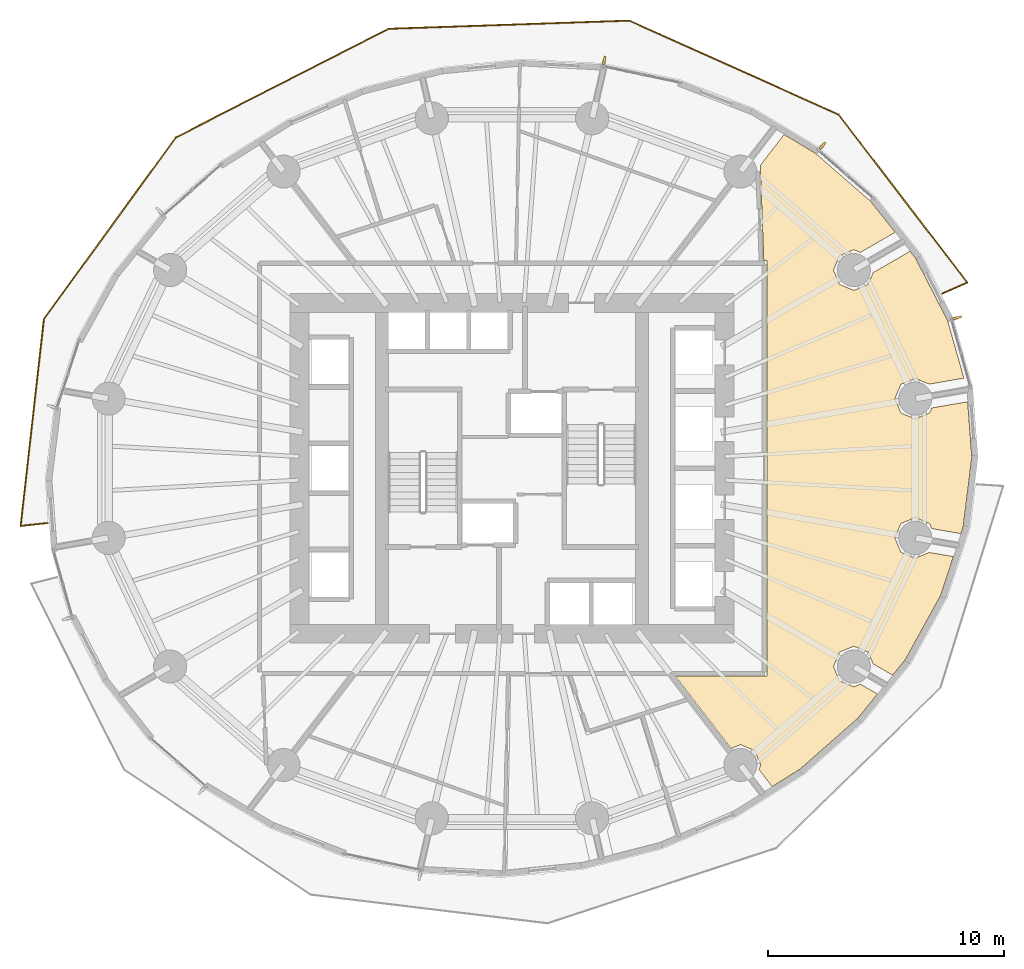
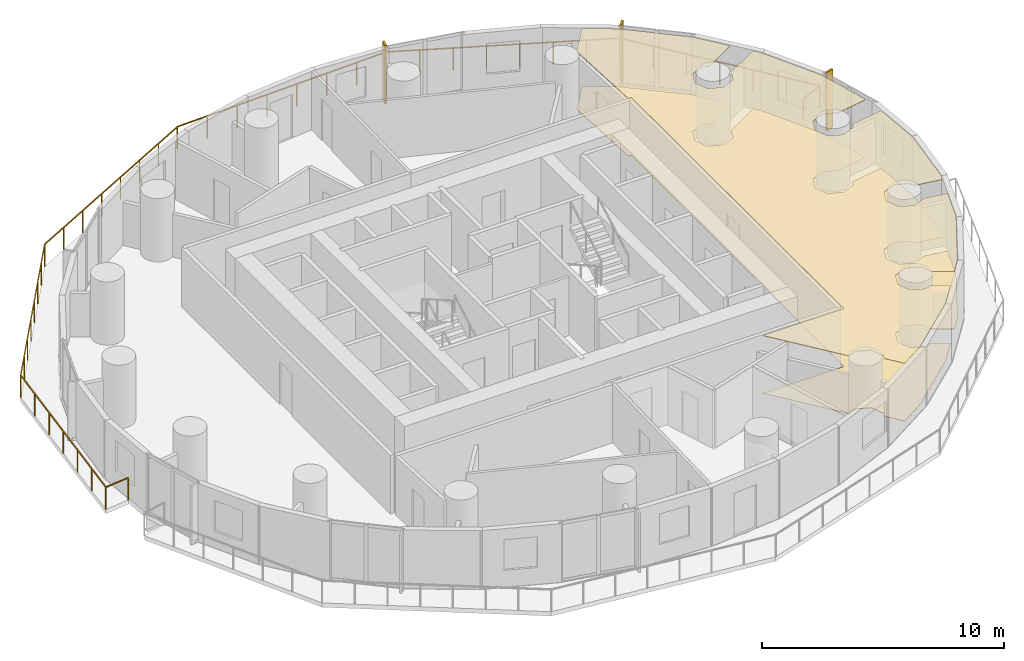
# One storey, part 13 of 13: 3 shading devices, 2 coverings, 1 railing.
"""IFC4 building model written with IfcOpenShell, lengths in metres."""

from ifc_helpers import new_model, si_unit, direction, frame, origin, origin_2d, place, context, subcontext, project, spatial, polyline, rectangle, outline, extrude, material, layer, layer_set, type_object, element, save


model = new_model("IFC4")

# Units and contexts
model_context = context("Model", 3, precision=1e-05, world=origin(), true_north=direction((0.0, 1.0)))
body_context = subcontext(model_context, "Body", "Model", "MODEL_VIEW")
ifc_project = project(units=[si_unit("LENGTHUNIT", "METRE"), si_unit("AREAUNIT", "SQUARE_METRE"), si_unit("VOLUMEUNIT", "CUBIC_METRE"), si_unit("PLANEANGLEUNIT", "RADIAN"), si_unit("MASSUNIT", "GRAM", prefix="KILO")], contexts=[model_context])

# Site, building, storey
site_placement = place(None, origin())
site = spatial("IfcSite", under=ifc_project, at=site_placement, CompositionType="ELEMENT")
building_placement = place(site_placement, origin())
building = spatial("IfcBuilding", under=site, at=building_placement, Name="Veldorim Arch Residences", CompositionType="ELEMENT")
storey_placement = place(building_placement, frame((0.0, 0.0, 47.199951171875)))
storey = spatial("IfcBuildingStorey", under=building, at=storey_placement, Name="L13", CompositionType="ELEMENT", Elevation=47.199951171875)

# Railing
ifc_material_1 = material(Name="Aluminium", Category="aluminium")
railing_type = type_object("IfcRailingType", Name="Balcony & Terrace Laminated Glass Balustrade 1150", PredefinedType="BALUSTRADE", material=ifc_material_1)
railing_placement = place(storey_placement, frame((50.2177734375, 31.396484375, 0.0)))
element("IfcRailing", 1, at=railing_placement, inside=storey, type_object=railing_type, Name="L13 crescent balcony safety balustrade A", PredefinedType="BALUSTRADE", context=body_context, shape_type="SweptSolid", body=[
    extrude(rectangle(XDim=0.048095703125, YDim=0.048095703125, at=origin_2d()), frame((0.0, 0.0, 1.1259765625), z_axis=(0.914650093829, 0.404246466725, 0.0), x_axis=(-0.404246466725, 0.914650093829, 0.0)), (0.0, 0.0, 1.0), 1.14990234375),
    extrude(rectangle(XDim=0.048095703125, YDim=0.048095703125, at=origin_2d()), frame((1.0517578125, 0.46484375, 1.1259765625), z_axis=(-0.608174072746, 0.793803689358, 0.0), x_axis=(-0.793803689358, -0.608174072746, 0.0)), (0.0, 0.0, 1.0), 8.959228515625),
    extrude(rectangle(XDim=0.048095703125, YDim=0.048095703125, at=origin_2d()), frame((-4.39697265625, 7.57666015625, 1.1259765625), z_axis=(-0.912391461702, 0.409318727416, 0.0), x_axis=(-0.409318727416, -0.912391461702, 0.0)), (0.0, 0.0, 1.0), 9.7080078125),
    extrude(rectangle(XDim=0.048095703125, YDim=0.048095703125, at=origin_2d()), frame((-13.25439453125, 11.55029296875, 1.1259765625), z_axis=(-0.999421900422, -0.033998014005, 0.0), x_axis=(0.033998014005, -0.999421900422, 0.0)), (0.0, 0.0, 1.0), 10.197021484375),
    extrude(rectangle(XDim=0.048095703125, YDim=0.048095703125, at=origin_2d()), frame((-23.445556640625, 11.20361328125, 1.1259765625), z_axis=(-0.890528218544, -0.454928007466, 0.0), x_axis=(0.454928007466, -0.890528218544, 0.0)), (0.0, 0.0, 1.0), 10.105224609375),
    extrude(rectangle(XDim=0.048095703125, YDim=0.048095703125, at=origin_2d()), frame((-32.444580078125, 6.6064453125, 1.1259765625), z_axis=(-0.587653663904, -0.809112582587, 0.0), x_axis=(0.809112582587, -0.587653663904, 0.0)), (0.0, 0.0, 1.0), 9.501708984375),
    extrude(rectangle(XDim=0.048095703125, YDim=0.048095703125, at=origin_2d()), frame((-38.0283203125, -1.08154296875, 1.1259765625), z_axis=(-0.111808793335, -0.993729738779, 0.0), x_axis=(0.993729738779, -0.111808793335, 0.0)), (0.0, 0.0, 1.0), 8.812744140625),
    extrude(rectangle(XDim=0.048095703125, YDim=0.048095703125, at=origin_2d()), frame((-39.013671875, -9.839111328125, 1.1259765625), z_axis=(0.994119643816, 0.108287274316, 0.0), x_axis=(-0.108287274316, 0.994119643816, 0.0)), (0.0, 0.0, 1.0), 1.14990234375),
    extrude(rectangle(XDim=0.0419921875, YDim=0.0419921875, at=origin_2d()), origin(), (0.0, 0.0, 1.0), 1.101806640625),
    extrude(rectangle(XDim=0.0419921875, YDim=0.0419921875, at=origin_2d()), frame((1.0517578125, 0.46484375, 0.0)), (0.0, 0.0, 1.0), 1.101806640625),
    extrude(rectangle(XDim=0.0419921875, YDim=0.0419921875, at=origin_2d()), frame((0.1435546875, 1.650146484375, 0.0)), (0.0, 0.0, 1.0), 1.101806640625),
    extrude(rectangle(XDim=0.0419921875, YDim=0.0419921875, at=origin_2d()), frame((-0.764404296875, 2.83544921875, 0.0)), (0.0, 0.0, 1.0), 1.101806640625),
    extrude(rectangle(XDim=0.0419921875, YDim=0.0419921875, at=origin_2d()), frame((-1.672607421875, 4.020751953125, 0.0)), (0.0, 0.0, 1.0), 1.101806640625),
    extrude(rectangle(XDim=0.0419921875, YDim=0.0419921875, at=origin_2d()), frame((-2.580810546875, 5.2060546875, 0.0)), (0.0, 0.0, 1.0), 1.101806640625),
    extrude(rectangle(XDim=0.0419921875, YDim=0.0419921875, at=origin_2d()), frame((-3.48876953125, 6.391357421875, 0.0)), (0.0, 0.0, 1.0), 1.101806640625),
    extrude(rectangle(XDim=0.0419921875, YDim=0.0419921875, at=origin_2d()), frame((-4.39697265625, 7.57666015625, 0.0)), (0.0, 0.0, 1.0), 1.101806640625),
    extrude(rectangle(XDim=0.0419921875, YDim=0.0419921875, at=origin_2d()), frame((-5.662353515625, 8.144287109375, 0.0)), (0.0, 0.0, 1.0), 1.101806640625),
    extrude(rectangle(XDim=0.0419921875, YDim=0.0419921875, at=origin_2d()), frame((-6.927734375, 8.7119140625, 0.0)), (0.0, 0.0, 1.0), 1.101806640625),
    extrude(rectangle(XDim=0.0419921875, YDim=0.0419921875, at=origin_2d()), frame((-8.193115234375, 9.279541015625, 0.0)), (0.0, 0.0, 1.0), 1.101806640625),
    extrude(rectangle(XDim=0.0419921875, YDim=0.0419921875, at=origin_2d()), frame((-9.458251953125, 9.847412109375, 0.0)), (0.0, 0.0, 1.0), 1.101806640625),
    extrude(rectangle(XDim=0.0419921875, YDim=0.0419921875, at=origin_2d()), frame((-10.7236328125, 10.4150390625, 0.0)), (0.0, 0.0, 1.0), 1.101806640625),
    extrude(rectangle(XDim=0.0419921875, YDim=0.0419921875, at=origin_2d()), frame((-11.989013671875, 10.982666015625, 0.0)), (0.0, 0.0, 1.0), 1.101806640625),
    extrude(rectangle(XDim=0.0419921875, YDim=0.0419921875, at=origin_2d()), frame((-13.25439453125, 11.55029296875, 0.0)), (0.0, 0.0, 1.0), 1.101806640625),
    extrude(rectangle(XDim=0.0419921875, YDim=0.0419921875, at=origin_2d()), frame((-14.710205078125, 11.500732421875, 0.0)), (0.0, 0.0, 1.0), 1.101806640625),
    extrude(rectangle(XDim=0.0419921875, YDim=0.0419921875, at=origin_2d()), frame((-16.166259765625, 11.451171875, 0.0)), (0.0, 0.0, 1.0), 1.101806640625),
    extrude(rectangle(XDim=0.0419921875, YDim=0.0419921875, at=origin_2d()), frame((-17.6220703125, 11.401611328125, 0.0)), (0.0, 0.0, 1.0), 1.101806640625),
    extrude(rectangle(XDim=0.0419921875, YDim=0.0419921875, at=origin_2d()), frame((-19.077880859375, 11.352294921875, 0.0)), (0.0, 0.0, 1.0), 1.101806640625),
    extrude(rectangle(XDim=0.0419921875, YDim=0.0419921875, at=origin_2d()), frame((-20.53369140625, 11.302734375, 0.0)), (0.0, 0.0, 1.0), 1.101806640625),
    extrude(rectangle(XDim=0.0419921875, YDim=0.0419921875, at=origin_2d()), frame((-21.98974609375, 11.253173828125, 0.0)), (0.0, 0.0, 1.0), 1.101806640625),
    extrude(rectangle(XDim=0.0419921875, YDim=0.0419921875, at=origin_2d()), frame((-23.445556640625, 11.20361328125, 0.0)), (0.0, 0.0, 1.0), 1.101806640625),
    extrude(rectangle(XDim=0.0419921875, YDim=0.0419921875, at=origin_2d()), frame((-24.731201171875, 10.546875, 0.0)), (0.0, 0.0, 1.0), 1.101806640625),
    extrude(rectangle(XDim=0.0419921875, YDim=0.0419921875, at=origin_2d()), frame((-26.0166015625, 9.89013671875, 0.0)), (0.0, 0.0, 1.0), 1.101806640625),
    extrude(rectangle(XDim=0.0419921875, YDim=0.0419921875, at=origin_2d()), frame((-27.30224609375, 9.2333984375, 0.0)), (0.0, 0.0, 1.0), 1.101806640625),
    extrude(rectangle(XDim=0.0419921875, YDim=0.0419921875, at=origin_2d()), frame((-28.587890625, 8.57666015625, 0.0)), (0.0, 0.0, 1.0), 1.101806640625),
    extrude(rectangle(XDim=0.0419921875, YDim=0.0419921875, at=origin_2d()), frame((-29.87353515625, 7.919921875, 0.0)), (0.0, 0.0, 1.0), 1.101806640625),
    extrude(rectangle(XDim=0.0419921875, YDim=0.0419921875, at=origin_2d()), frame((-31.158935546875, 7.26318359375, 0.0)), (0.0, 0.0, 1.0), 1.101806640625),
    extrude(rectangle(XDim=0.0419921875, YDim=0.0419921875, at=origin_2d()), frame((-32.444580078125, 6.6064453125, 0.0)), (0.0, 0.0, 1.0), 1.101806640625),
    extrude(rectangle(XDim=0.0419921875, YDim=0.0419921875, at=origin_2d()), frame((-33.2421875, 5.508056640625, 0.0)), (0.0, 0.0, 1.0), 1.101806640625),
    extrude(rectangle(XDim=0.0419921875, YDim=0.0419921875, at=origin_2d()), frame((-34.0400390625, 4.409912109375, 0.0)), (0.0, 0.0, 1.0), 1.101806640625),
    extrude(rectangle(XDim=0.0419921875, YDim=0.0419921875, at=origin_2d()), frame((-34.837646484375, 3.3115234375, 0.0)), (0.0, 0.0, 1.0), 1.101806640625),
    extrude(rectangle(XDim=0.0419921875, YDim=0.0419921875, at=origin_2d()), frame((-35.63525390625, 2.21337890625, 0.0)), (0.0, 0.0, 1.0), 1.101806640625),
    extrude(rectangle(XDim=0.0419921875, YDim=0.0419921875, at=origin_2d()), frame((-36.432861328125, 1.114990234375, 0.0)), (0.0, 0.0, 1.0), 1.101806640625),
    extrude(rectangle(XDim=0.0419921875, YDim=0.0419921875, at=origin_2d()), frame((-37.230712890625, 0.016845703125, 0.0)), (0.0, 0.0, 1.0), 1.101806640625),
    extrude(rectangle(XDim=0.0419921875, YDim=0.0419921875, at=origin_2d()), frame((-38.0283203125, -1.08154296875, 0.0)), (0.0, 0.0, 1.0), 1.101806640625),
    extrude(rectangle(XDim=0.0419921875, YDim=0.0419921875, at=origin_2d()), frame((-38.192626953125, -2.541015625, 0.0)), (0.0, 0.0, 1.0), 1.101806640625),
    extrude(rectangle(XDim=0.0419921875, YDim=0.0419921875, at=origin_2d()), frame((-38.356689453125, -4.000732421875, 0.0)), (0.0, 0.0, 1.0), 1.101806640625),
    extrude(rectangle(XDim=0.0419921875, YDim=0.0419921875, at=origin_2d()), frame((-38.52099609375, -5.46044921875, 0.0)), (0.0, 0.0, 1.0), 1.101806640625),
    extrude(rectangle(XDim=0.0419921875, YDim=0.0419921875, at=origin_2d()), frame((-38.685302734375, -6.919921875, 0.0)), (0.0, 0.0, 1.0), 1.101806640625),
    extrude(rectangle(XDim=0.0419921875, YDim=0.0419921875, at=origin_2d()), frame((-38.849365234375, -8.37939453125, 0.0)), (0.0, 0.0, 1.0), 1.101806640625),
    extrude(rectangle(XDim=0.0419921875, YDim=0.0419921875, at=origin_2d()), frame((-39.013671875, -9.839111328125, 0.0)), (0.0, 0.0, 1.0), 1.101806640625),
    extrude(rectangle(XDim=0.0419921875, YDim=0.0419921875, at=origin_2d()), frame((-37.87060546875, -9.714599609375, 0.0)), (0.0, 0.0, 1.0), 1.101806640625),
])

# Coverings
ifc_material_2 = material(Name="Acoustic Gypsum & Mineral Fibre", Category="gypsum")
ifc_layer_1 = layer(ifc_material_2, 0.034912109375, Name="Perforated Acoustic Mineral-Fibre Ceiling 35")
ifc_layer_set_1 = layer_set([ifc_layer_1], Name="Acoustic Gypsum & Mineral Fibre")
covering_type_1 = type_object("IfcCoveringType", Name="Perforated Acoustic Mineral-Fibre Ceiling 35", PredefinedType="CEILING", material=ifc_layer_set_1)
covering_1_placement = place(storey_placement, frame((0.0, 0.0, 2.905029296875)))
element("IfcCovering", 2, at=covering_1_placement, inside=storey, type_object=covering_type_1, Name="L13 acoustic suspended ceiling 02", PredefinedType="CEILING", context=body_context, shape_type="SweptSolid", body=[
    extrude(outline(polyline([(43.513427734375, 38.125732421875), (44.84521484375, 37.328857421875), (47.1884765625, 35.2880859375), (48.21630859375, 33.98681640625), (46.745361328125, 33.1337890625), (46.467529296875, 33.2490234375), (45.859619140625, 32.9970703125), (45.607666015625, 32.38916015625), (45.859619140625, 31.781005859375), (46.467529296875, 31.529296875), (47.07568359375, 31.781005859375), (47.281005859375, 32.277099609375), (48.848876953125, 33.186279296875), (49.0693359375, 32.906982421875), (50.432373046875, 30.257568359375), (51.12548828125, 27.81396484375), (49.65771484375, 27.560546875), (49.065673828125, 27.805908203125), (48.457763671875, 27.553955078125), (48.205810546875, 26.94580078125), (48.457763671875, 26.337890625), (49.065673828125, 26.0859375), (49.673583984375, 26.337890625), (49.76318359375, 26.5537109375), (51.28271484375, 26.816162109375), (51.459716796875, 24.478515625), (51.093505859375, 21.521484375), (50.998779296875, 21.23291015625), (49.76318359375, 21.4462890625), (49.673583984375, 21.662109375), (49.065673828125, 21.9140625), (48.457763671875, 21.662109375), (48.205810546875, 21.05419921875), (48.457763671875, 20.446044921875), (49.065673828125, 20.194091796875), (49.65771484375, 20.439453125), (50.680908203125, 20.2626953125), (50.148193359375, 18.637939453125), (48.65185546875, 15.914794921875), (48.10888671875, 15.242919921875), (47.281005859375, 15.722900390625), (47.07568359375, 16.218994140625), (46.467529296875, 16.470703125), (45.859619140625, 16.218994140625), (45.607666015625, 15.61083984375), (45.859619140625, 15.0029296875), (46.467529296875, 14.7509765625), (46.745361328125, 14.8662109375), (47.466552734375, 14.447998046875), (46.6484375, 13.435546875), (44.1982421875, 11.27587890625), (43.00927734375, 10.529296875), (42.448974609375, 11.2568359375), (42.52685546875, 11.44482421875), (42.27490234375, 12.052734375), (41.6669921875, 12.3046875), (41.27978515625, 12.144287109375), (38.927001953125, 15.199951171875), (42.800048828125, 15.199951171875), (42.800048828125, 32.800048828125), (42.656494140625, 32.800048828125), (42.50732421875, 36.81884765625), (43.513427734375, 38.125732421875)])), origin(), (0.0, 0.0, 1.0), 0.034912109375),
])
ifc_material_3 = material(Name="Porcelain Ceramic Tile", Category="ceramic")
ifc_layer_2 = layer(ifc_material_3, 0.02001953125, Name="Slip-Resistant Porcelain & Vinyl Floor Finish 20")
ifc_layer_set_2 = layer_set([ifc_layer_2], Name="Porcelain Ceramic Tile")
covering_type_2 = type_object("IfcCoveringType", Name="Slip-Resistant Porcelain & Vinyl Floor Finish 20", PredefinedType="FLOORING", material=ifc_layer_set_2)
covering_2_placement = place(storey_placement, origin())
element("IfcCovering", 3, at=covering_2_placement, inside=storey, type_object=covering_type_2, Name="L13 porcelain floor finish 02", PredefinedType="FLOORING", context=body_context, shape_type="SweptSolid", body=[
    extrude(outline(polyline([(43.513427734375, 38.125732421875), (44.84521484375, 37.328857421875), (47.1884765625, 35.2880859375), (48.21630859375, 33.98681640625), (46.745361328125, 33.1337890625), (46.467529296875, 33.2490234375), (45.859619140625, 32.9970703125), (45.607666015625, 32.38916015625), (45.859619140625, 31.781005859375), (46.467529296875, 31.529296875), (47.07568359375, 31.781005859375), (47.281005859375, 32.277099609375), (48.848876953125, 33.186279296875), (49.0693359375, 32.906982421875), (50.432373046875, 30.257568359375), (51.12548828125, 27.81396484375), (49.65771484375, 27.560546875), (49.065673828125, 27.805908203125), (48.457763671875, 27.553955078125), (48.205810546875, 26.94580078125), (48.457763671875, 26.337890625), (49.065673828125, 26.0859375), (49.673583984375, 26.337890625), (49.76318359375, 26.5537109375), (51.28271484375, 26.816162109375), (51.459716796875, 24.478515625), (51.093505859375, 21.521484375), (50.998779296875, 21.23291015625), (49.76318359375, 21.4462890625), (49.673583984375, 21.662109375), (49.065673828125, 21.9140625), (48.457763671875, 21.662109375), (48.205810546875, 21.05419921875), (48.457763671875, 20.446044921875), (49.065673828125, 20.194091796875), (49.65771484375, 20.439453125), (50.680908203125, 20.2626953125), (50.148193359375, 18.637939453125), (48.65185546875, 15.914794921875), (48.10888671875, 15.242919921875), (47.281005859375, 15.722900390625), (47.07568359375, 16.218994140625), (46.467529296875, 16.470703125), (45.859619140625, 16.218994140625), (45.607666015625, 15.61083984375), (45.859619140625, 15.0029296875), (46.467529296875, 14.7509765625), (46.745361328125, 14.8662109375), (47.466552734375, 14.447998046875), (46.6484375, 13.435546875), (44.1982421875, 11.27587890625), (43.00927734375, 10.529296875), (42.448974609375, 11.2568359375), (42.52685546875, 11.44482421875), (42.27490234375, 12.052734375), (41.6669921875, 12.3046875), (41.27978515625, 12.144287109375), (38.927001953125, 15.199951171875), (42.800048828125, 15.199951171875), (42.800048828125, 32.800048828125), (42.656494140625, 32.800048828125), (42.50732421875, 36.81884765625), (43.513427734375, 38.125732421875)])), origin(), (0.0, 0.0, 1.0), 0.02001953125),
])

# Shading devices
ifc_material_4 = material(Name="Terracotta Ceramic", Category="masonry")
ifc_layer_3 = layer(ifc_material_4, 0.090087890625, Name="Vertical Extruded Terracotta Baguette Sun-Shading Fin")
ifc_layer_set_3 = layer_set([ifc_layer_3], Name="Terracotta Ceramic")
shading_device_type = type_object("IfcShadingDeviceType", Name="Vertical Extruded Terracotta Baguette Sun-Shading Fin", PredefinedType="USERDEFINED", material=ifc_layer_set_3)
for number, where, z_axis, x_axis, name in (
    (4, (50.850341796875, 30.369140625, 0.0), (0.0, 0.0, 1.0), (0.272784025857, -0.962075296033, 0.0), "L13 vertical terracotta sun-shading fin 01"),
    (5, (45.13623046875, 37.648681640625, 0.0), (0.0, 0.0, 1.0), (0.754136773416, -0.656717387452, 0.0), "L13 vertical terracotta sun-shading fin 04"),
    (6, (35.906005859375, 41.260498046875, 0.0), (0.0, 0.0, 1.0), (0.978256328953, -0.207399505455, 0.0), "L13 vertical terracotta sun-shading fin 07"),
):
    element("IfcShadingDevice", number, at=place(storey_placement, frame(where, z_axis=z_axis, x_axis=x_axis)), inside=storey, type_object=shading_device_type, Name=name, ObjectType="FIN", PredefinedType="USERDEFINED", context=body_context, shape_type="SweptSolid", body=[
        extrude(rectangle(XDim=0.090087890625, YDim=0.360107421875, at=origin_2d()), origin(), (0.0, 0.0, 1.0), 2.9599609375),
    ])

save(model, "model.ifc")
